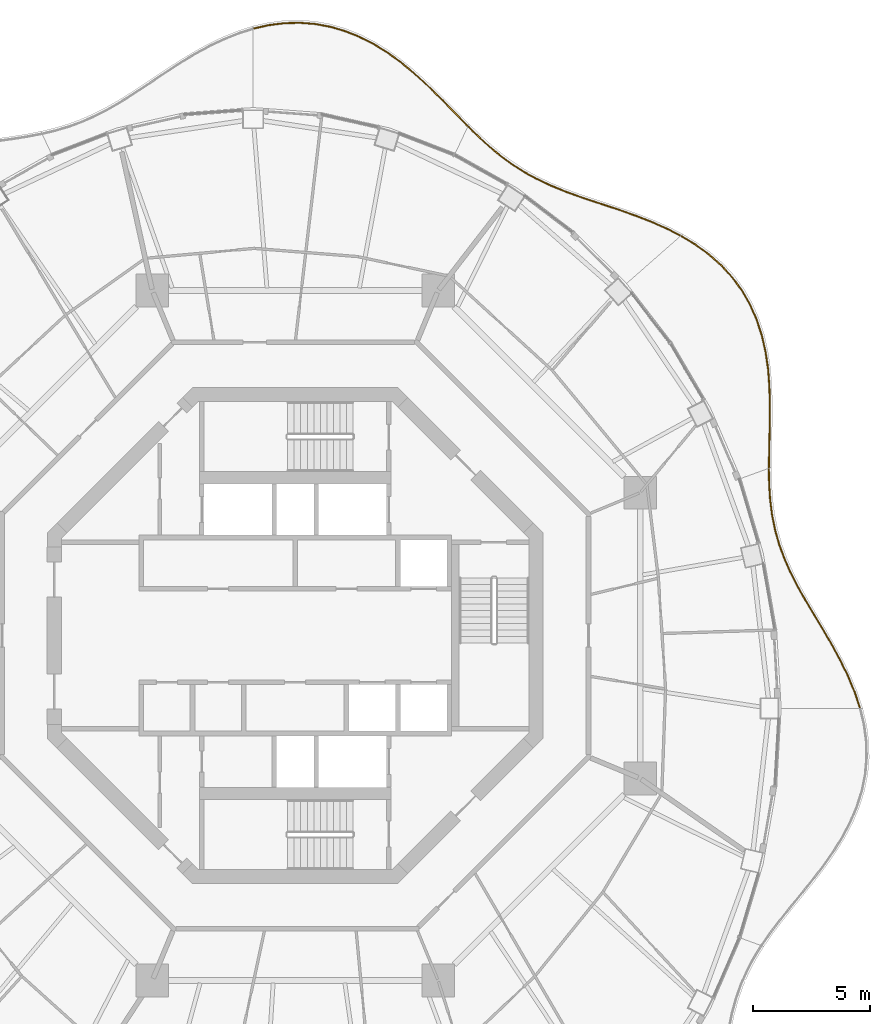
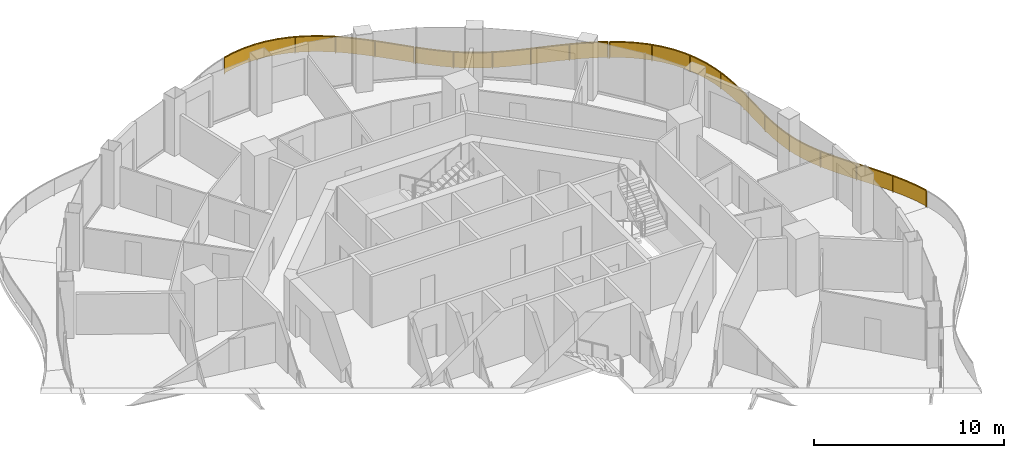
# One storey, part 17 of 17: 4 railings.
"""IFC4 building model written with IfcOpenShell, lengths in metres."""

from ifc_helpers import new_model, si_unit, direction, frame, origin, origin_2d, place, context, subcontext, project, spatial, polyline, rectangle, outline, extrude, material, type_object, element, save


model = new_model("IFC4")

# Units and contexts
model_context = context("Model", 3, precision=1e-05, world=origin(), true_north=direction((0.0, 1.0)))
body_context = subcontext(model_context, "Body", "Model", "MODEL_VIEW")
ifc_project = project(units=[si_unit("LENGTHUNIT", "METRE"), si_unit("AREAUNIT", "SQUARE_METRE"), si_unit("VOLUMEUNIT", "CUBIC_METRE"), si_unit("PLANEANGLEUNIT", "RADIAN"), si_unit("MASSUNIT", "GRAM", prefix="KILO")], contexts=[model_context])

# Site, building, storey
site_placement = place(None, origin())
site = spatial("IfcSite", under=ifc_project, at=site_placement, CompositionType="ELEMENT")
building_placement = place(site_placement, origin())
building = spatial("IfcBuilding", under=site, at=building_placement, Name="Nagisa Residences", CompositionType="ELEMENT")
storey_placement = place(building_placement, frame((0.0, 0.0, 295.5)))
storey = spatial("IfcBuildingStorey", under=building, at=storey_placement, Name="L75", CompositionType="ELEMENT", Elevation=295.5)

# Railings
ifc_material = material(Name="Stainless steel 316", Category="steel")
railing_type = type_object("IfcRailingType", Name="BALCONY GUARD 1100", PredefinedType="BALUSTRADE", material=ifc_material)
railing_1_placement = place(storey_placement, frame((24.1865234375, -3.0810546875, 0.0)))
element("IfcRailing", 1, at=railing_1_placement, inside=storey, type_object=railing_type, Name="guard:L75:bal00-0", PredefinedType="BALUSTRADE", context=body_context, shape_type="SweptSolid", body=[
    extrude(outline(polyline([(-0.24169921875, 0.64599609375), (-0.023681640625, -0.0078125), (0.023681640625, 0.0078125), (-0.19482421875, 0.66357421875), (-0.48095703125, 1.351806640625), (-0.8095703125, 2.026123046875), (-1.16796875, 2.68505859375), (-1.542236328125, 3.329345703125), (-1.917236328125, 3.946044921875), (-2.282958984375, 4.564697265625), (-2.62646484375, 5.175537109375), (-2.936767578125, 5.781982421875), (-3.206787109375, 6.388916015625), (-3.427490234375, 6.98681640625), (-3.603271484375, 7.607666015625), (-3.73095703125, 8.242431640625), (-3.813720703125, 8.89404296875), (-3.857421875, 9.564697265625), (-3.8681640625, 10.21240234375), (-3.91796875, 10.21142578125), (-3.9072265625, 9.562744140625), (-3.863525390625, 8.88916015625), (-3.7802734375, 8.234130859375), (-3.652099609375, 7.595947265625), (-3.475341796875, 6.97119140625), (-3.253173828125, 6.369873046875), (-2.982177734375, 5.760498046875), (-2.67041015625, 5.152099609375), (-2.326416015625, 4.539794921875), (-1.960205078125, 3.920166015625), (-1.585205078125, 3.303955078125), (-1.21142578125, 2.66064453125), (-0.85400390625, 2.003173828125), (-0.5263671875, 1.331298828125), (-0.24169921875, 0.64599609375)])), frame((0.0, 0.0, 1.050048828125)), (0.0, 0.0, 1.0), 0.050048828125),
    extrude(outline(polyline([(-0.224853515625, 0.65234375), (-0.006591796875, -0.002197265625), (0.006591796875, 0.002197265625), (-0.211669921875, 0.6572265625), (-0.497314453125, 1.344482421875), (-0.82568359375, 2.017822265625), (-1.18359375, 2.67626953125), (-1.5576171875, 3.3203125), (-1.9326171875, 3.936767578125), (-2.298583984375, 4.5556640625), (-2.642333984375, 5.167236328125), (-2.953125, 5.774169921875), (-3.223388671875, 6.382080078125), (-3.44482421875, 6.981201171875), (-3.620849609375, 7.603515625), (-3.748779296875, 8.239501953125), (-3.83154296875, 8.892333984375), (-3.875244140625, 9.56396484375), (-3.885986328125, 10.2119140625), (-3.900146484375, 10.2119140625), (-3.889404296875, 9.5634765625), (-3.845703125, 8.890869140625), (-3.762451171875, 8.237060546875), (-3.634521484375, 7.60009765625), (-3.4580078125, 6.976806640625), (-3.236572265625, 6.376708984375), (-2.9658203125, 5.768310546875), (-2.654541015625, 5.160400390625), (-2.310791015625, 4.548828125), (-1.94482421875, 3.929443359375), (-1.56982421875, 3.31298828125), (-1.19580078125, 2.66943359375), (-0.837890625, 2.011474609375), (-0.510009765625, 1.338623046875), (-0.224853515625, 0.65234375)])), frame((0.0, 0.0, 0.06005859375)), (0.0, 0.0, 1.0), 0.989990234375),
    extrude(rectangle(XDim=0.0400390625, YDim=0.0400390625, at=origin_2d()), origin(), (0.0, 0.0, 1.0), 1.050048828125),
    extrude(rectangle(XDim=0.0400390625, YDim=0.0400390625, at=origin_2d()), frame((-0.847900390625, 2.04443359375, 0.0)), (0.0, 0.0, 1.0), 1.050048828125),
    extrude(rectangle(XDim=0.0400390625, YDim=0.0400390625, at=origin_2d()), frame((-1.95654296875, 3.96337890625, 0.0)), (0.0, 0.0, 1.0), 1.050048828125),
    extrude(rectangle(XDim=0.0400390625, YDim=0.0400390625, at=origin_2d()), frame((-3.019775390625, 5.906982421875, 0.0)), (0.0, 0.0, 1.0), 1.050048828125),
    extrude(rectangle(XDim=0.0400390625, YDim=0.0400390625, at=origin_2d()), frame((-3.708984375, 8.0068359375, 0.0)), (0.0, 0.0, 1.0), 1.050048828125),
    extrude(rectangle(XDim=0.0400390625, YDim=0.0400390625, at=origin_2d()), frame((-3.89306640625, 10.2119140625, 0.0)), (0.0, 0.0, 1.0), 1.050048828125),
])
railing_2_placement = place(storey_placement, frame((20.295166015625, 7.204833984375, 0.0)))
element("IfcRailing", 2, at=railing_2_placement, inside=storey, type_object=railing_type, Name="guard:L75:bal01-0", PredefinedType="BALUSTRADE", context=body_context, shape_type="SweptSolid", body=[
    extrude(outline(polyline([(-0.015869140625, 0.645751953125), (-0.02490234375, 0.000244140625), (0.02490234375, -0.000244140625), (0.033935546875, 0.644775390625), (0.05078125, 1.349853515625), (0.065185546875, 2.068359375), (0.06591796875, 2.796142578125), (0.040771484375, 3.527587890625), (-0.013916015625, 4.2431640625), (-0.121337890625, 4.962158203125), (-0.28271484375, 5.6640625), (-0.50439453125, 6.342041015625), (-0.789794921875, 6.98876953125), (-1.134033203125, 7.58740234375), (-1.548828125, 8.15283203125), (-2.0263671875, 8.674072265625), (-2.560546875, 9.14697265625), (-3.143798828125, 9.57177734375), (-3.72900390625, 9.923583984375), (-3.7548828125, 9.880615234375), (-3.171630859375, 9.52978515625), (-2.591796875, 9.10791015625), (-2.0615234375, 8.638427734375), (-1.58740234375, 8.12109375), (-1.176025390625, 7.56005859375), (-0.834716796875, 6.96630859375), (-0.55126953125, 6.323974609375), (-0.3310546875, 5.65087890625), (-0.170654296875, 4.952880859375), (-0.063720703125, 4.2373046875), (-0.009033203125, 3.524658203125), (0.015625, 2.795166015625), (0.015380859375, 2.06884765625), (0.0009765625, 1.350830078125), (-0.015869140625, 0.645751953125)])), frame((0.0, 0.0, 1.050048828125)), (0.0, 0.0, 1.0), 0.050048828125),
    extrude(outline(polyline([(0.001953125, 0.6455078125), (-0.007080078125, 0.0), (0.007080078125, 0.0), (0.01611328125, 0.64501953125), (0.032958984375, 1.35009765625), (0.04736328125, 2.068603515625), (0.0478515625, 2.795654296875), (0.02294921875, 3.526611328125), (-0.03173828125, 4.240966796875), (-0.13916015625, 4.958740234375), (-0.300048828125, 5.659423828125), (-0.521240234375, 6.33544921875), (-0.805908203125, 6.980712890625), (-1.149169921875, 7.57763671875), (-1.562744140625, 8.141357421875), (-2.0390625, 8.6611328125), (-2.57177734375, 9.1328125), (-3.15380859375, 9.556640625), (-3.73828125, 9.908203125), (-3.74560546875, 9.89599609375), (-3.16162109375, 9.544921875), (-2.58056640625, 9.1220703125), (-2.048828125, 8.6513671875), (-1.573486328125, 8.132568359375), (-1.160888671875, 7.56982421875), (-0.818603515625, 6.974365234375), (-0.534423828125, 6.33056640625), (-0.313720703125, 5.655517578125), (-0.15283203125, 4.956298828125), (-0.0458984375, 4.239501953125), (0.0087890625, 3.525634765625), (0.03369140625, 2.795654296875), (0.033203125, 2.068603515625), (0.018798828125, 1.3505859375), (0.001953125, 0.6455078125)])), frame((0.0, 0.0, 0.06005859375)), (0.0, 0.0, 1.0), 0.989990234375),
    extrude(rectangle(XDim=0.0400390625, YDim=0.0400390625, at=origin_2d()), origin(), (0.0, 0.0, 1.0), 1.050048828125),
    extrude(rectangle(XDim=0.0400390625, YDim=0.0400390625, at=origin_2d()), frame((0.04052734375, 2.260498046875, 0.0)), (0.0, 0.0, 1.0), 1.050048828125),
    extrude(rectangle(XDim=0.0400390625, YDim=0.0400390625, at=origin_2d()), frame((-0.080078125, 4.515625, 0.0)), (0.0, 0.0, 1.0), 1.050048828125),
    extrude(rectangle(XDim=0.0400390625, YDim=0.0400390625, at=origin_2d()), frame((-0.683349609375, 6.685302734375, 0.0)), (0.0, 0.0, 1.0), 1.050048828125),
    extrude(rectangle(XDim=0.0400390625, YDim=0.0400390625, at=origin_2d()), frame((-1.943359375, 8.54638671875, 0.0)), (0.0, 0.0, 1.0), 1.050048828125),
    extrude(rectangle(XDim=0.0400390625, YDim=0.0400390625, at=origin_2d()), frame((-3.741943359375, 9.902099609375, 0.0)), (0.0, 0.0, 1.0), 1.050048828125),
])
railing_3_placement = place(storey_placement, frame((16.4853515625, 17.143798828125, 0.0)))
element("IfcRailing", 3, at=railing_3_placement, inside=storey, type_object=railing_type, Name="guard:L75:bal02-0", PredefinedType="BALUSTRADE", context=body_context, shape_type="SweptSolid", body=[
    extrude(outline(polyline([(-0.593505859375, 0.273681640625), (-0.01123046875, -0.022216796875), (0.01123046875, 0.022216796875), (-0.572021484375, 0.319091796875), (-1.216064453125, 0.604248046875), (-1.87109375, 0.860107421875), (-2.529052734375, 1.093994140625), (-3.181640625, 1.313232421875), (-3.81005859375, 1.515380859375), (-4.432861328125, 1.729736328125), (-5.0341796875, 1.953857421875), (-5.611572265625, 2.195068359375), (-6.163818359375, 2.459228515625), (-6.677734375, 2.742919921875), (-7.18359375, 3.067626953125), (-7.67138671875, 3.426513671875), (-8.145263671875, 3.819091796875), (-8.611083984375, 4.24365234375), (-9.041259765625, 4.665771484375), (-9.076416015625, 4.630126953125), (-8.645263671875, 4.20751953125), (-8.177978515625, 3.781494140625), (-7.7021484375, 3.386962890625), (-7.2119140625, 3.026611328125), (-6.70361328125, 2.699951171875), (-6.186767578125, 2.414794921875), (-5.632080078125, 2.149169921875), (-5.052734375, 1.907470703125), (-4.449951171875, 1.682861328125), (-3.82568359375, 1.468017578125), (-3.197265625, 1.265869140625), (-2.545166015625, 1.046630859375), (-1.888671875, 0.813232421875), (-1.235107421875, 0.557861328125), (-0.593505859375, 0.273681640625)])), frame((0.0, 0.0, 1.050048828125)), (0.0, 0.0, 1.0), 0.050048828125),
    extrude(outline(polyline([(-0.585693359375, 0.2900390625), (-0.003173828125, -0.00634765625), (0.003173828125, 0.00634765625), (-0.579833984375, 0.302734375), (-1.222900390625, 0.58740234375), (-1.87744140625, 0.84326171875), (-2.534912109375, 1.076904296875), (-3.187255859375, 1.296142578125), (-3.815673828125, 1.498291015625), (-4.43896484375, 1.712890625), (-5.040771484375, 1.937255859375), (-5.618896484375, 2.178466796875), (-6.172119140625, 2.443359375), (-6.68701171875, 2.7275390625), (-7.19384765625, 3.052978515625), (-7.682373046875, 3.412353515625), (-8.156982421875, 3.8056640625), (-8.623291015625, 4.230712890625), (-9.053955078125, 4.65283203125), (-9.063720703125, 4.64306640625), (-8.633056640625, 4.220458984375), (-8.166259765625, 3.794921875), (-7.691162109375, 3.401123046875), (-7.20166015625, 3.041259765625), (-6.6943359375, 2.71533203125), (-6.178466796875, 2.4306640625), (-5.624755859375, 2.165771484375), (-5.046142578125, 1.924072265625), (-4.44384765625, 1.69970703125), (-3.820068359375, 1.485107421875), (-3.191650390625, 1.282958984375), (-2.539306640625, 1.063720703125), (-1.88232421875, 0.830078125), (-1.228271484375, 0.57470703125), (-0.585693359375, 0.2900390625)])), frame((0.0, 0.0, 0.06005859375)), (0.0, 0.0, 1.0), 0.989990234375),
    extrude(rectangle(XDim=0.0400390625, YDim=0.0400390625, at=origin_2d()), origin(), (0.0, 0.0, 1.0), 1.050048828125),
    extrude(rectangle(XDim=0.0400390625, YDim=0.0400390625, at=origin_2d()), frame((-1.8798828125, 0.836669921875, 0.0)), (0.0, 0.0, 1.0), 1.050048828125),
    extrude(rectangle(XDim=0.0400390625, YDim=0.0400390625, at=origin_2d()), frame((-3.830810546875, 1.49609375, 0.0)), (0.0, 0.0, 1.0), 1.050048828125),
    extrude(rectangle(XDim=0.0400390625, YDim=0.0400390625, at=origin_2d()), frame((-5.751953125, 2.234375, 0.0)), (0.0, 0.0, 1.0), 1.050048828125),
    extrude(rectangle(XDim=0.0400390625, YDim=0.0400390625, at=origin_2d()), frame((-7.51904296875, 3.283447265625, 0.0)), (0.0, 0.0, 1.0), 1.050048828125),
    extrude(rectangle(XDim=0.0400390625, YDim=0.0400390625, at=origin_2d()), frame((-9.058837890625, 4.64794921875, 0.0)), (0.0, 0.0, 1.0), 1.050048828125),
])
railing_4_placement = place(storey_placement, frame((7.375732421875, 21.84521484375, 0.0)))
element("IfcRailing", 4, at=railing_4_placement, inside=storey, type_object=railing_type, Name="guard:L75:bal03-0", PredefinedType="BALUSTRADE", context=body_context, shape_type="SweptSolid", body=[
    extrude(outline(polyline([(-0.435302734375, 0.40869140625), (-0.017822265625, -0.017578125), (0.017822265625, 0.017578125), (-0.399658203125, 0.44384765625), (-0.858642578125, 0.9140625), (-1.331298828125, 1.389404296875), (-1.822021484375, 1.861083984375), (-2.33349609375, 2.319580078125), (-2.851806640625, 2.749755859375), (-3.411376953125, 3.15234375), (-3.99560546875, 3.512451171875), (-4.602783203125, 3.822265625), (-5.23046875, 4.07421875), (-5.861328125, 4.26025390625), (-6.517578125, 4.381103515625), (-7.185302734375, 4.432861328125), (-7.85693359375, 4.414794921875), (-8.527099609375, 4.329345703125), (-9.1435546875, 4.189208984375), (-9.13232421875, 4.140380859375), (-8.518310546875, 4.280029296875), (-7.85302734375, 4.364990234375), (-7.186767578125, 4.382568359375), (-6.52392578125, 4.331298828125), (-5.873046875, 4.21142578125), (-5.2470703125, 4.02685546875), (-4.623291015625, 3.77685546875), (-4.02001953125, 3.468994140625), (-3.439208984375, 3.11083984375), (-2.882568359375, 2.710205078125), (-2.3662109375, 2.281494140625), (-1.856201171875, 1.824462890625), (-1.366455078125, 1.353759765625), (-0.894287109375, 0.87890625), (-0.435302734375, 0.40869140625)])), frame((0.0, 0.0, 1.050048828125)), (0.0, 0.0, 1.0), 0.050048828125),
    extrude(outline(polyline([(-0.422607421875, 0.42138671875), (-0.0048828125, -0.0048828125), (0.0048828125, 0.0048828125), (-0.412353515625, 0.43115234375), (-0.87158203125, 0.9013671875), (-1.343994140625, 1.37646484375), (-1.834228515625, 1.847900390625), (-2.34521484375, 2.305908203125), (-2.86279296875, 2.735595703125), (-3.42138671875, 3.137451171875), (-4.00439453125, 3.496826171875), (-4.610107421875, 3.805908203125), (-5.236572265625, 4.05712890625), (-5.865478515625, 4.24267578125), (-6.519775390625, 4.363037109375), (-7.185791015625, 4.414794921875), (-7.85546875, 4.39697265625), (-8.52392578125, 4.3115234375), (-9.139404296875, 4.171630859375), (-9.136474609375, 4.157958984375), (-8.521484375, 4.2978515625), (-7.8544921875, 4.3828125), (-7.186279296875, 4.400634765625), (-6.521728515625, 4.349365234375), (-5.868896484375, 4.22900390625), (-5.240966796875, 4.0439453125), (-4.615966796875, 3.793212890625), (-4.01123046875, 3.484619140625), (-3.42919921875, 3.125732421875), (-2.87158203125, 2.724365234375), (-2.3544921875, 2.295166015625), (-1.843994140625, 1.837646484375), (-1.353759765625, 1.36669921875), (-0.88134765625, 0.8916015625), (-0.422607421875, 0.42138671875)])), frame((0.0, 0.0, 0.06005859375)), (0.0, 0.0, 1.0), 0.989990234375),
    extrude(rectangle(XDim=0.0400390625, YDim=0.0400390625, at=origin_2d()), origin(), (0.0, 0.0, 1.0), 1.050048828125),
    extrude(rectangle(XDim=0.0400390625, YDim=0.0400390625, at=origin_2d()), frame((-1.497314453125, 1.51416015625, 0.0)), (0.0, 0.0, 1.0), 1.050048828125),
    extrude(rectangle(XDim=0.0400390625, YDim=0.0400390625, at=origin_2d()), frame((-3.1083984375, 2.903564453125, 0.0)), (0.0, 0.0, 1.0), 1.050048828125),
    extrude(rectangle(XDim=0.0400390625, YDim=0.0400390625, at=origin_2d()), frame((-4.96142578125, 3.939208984375, 0.0)), (0.0, 0.0, 1.0), 1.050048828125),
    extrude(rectangle(XDim=0.0400390625, YDim=0.0400390625, at=origin_2d()), frame((-7.0302734375, 4.395751953125, 0.0)), (0.0, 0.0, 1.0), 1.050048828125),
    extrude(rectangle(XDim=0.0400390625, YDim=0.0400390625, at=origin_2d()), frame((-9.137939453125, 4.164794921875, 0.0)), (0.0, 0.0, 1.0), 1.050048828125),
])

save(model, "model.ifc")
